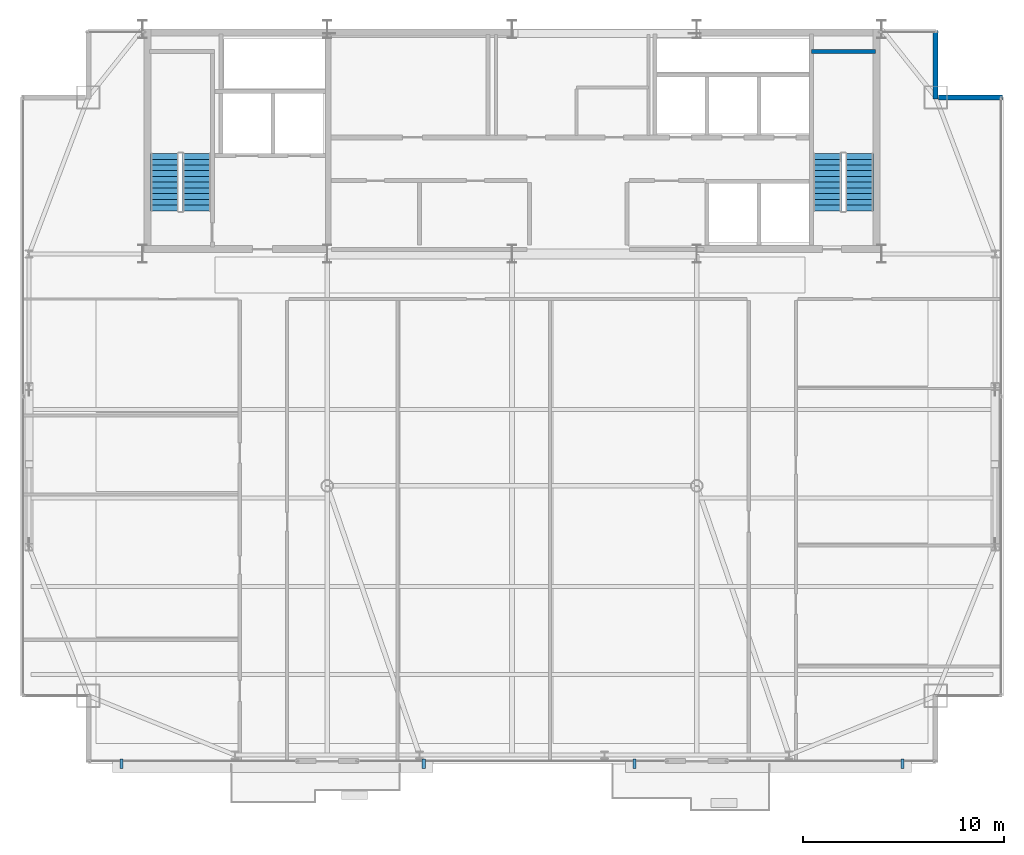
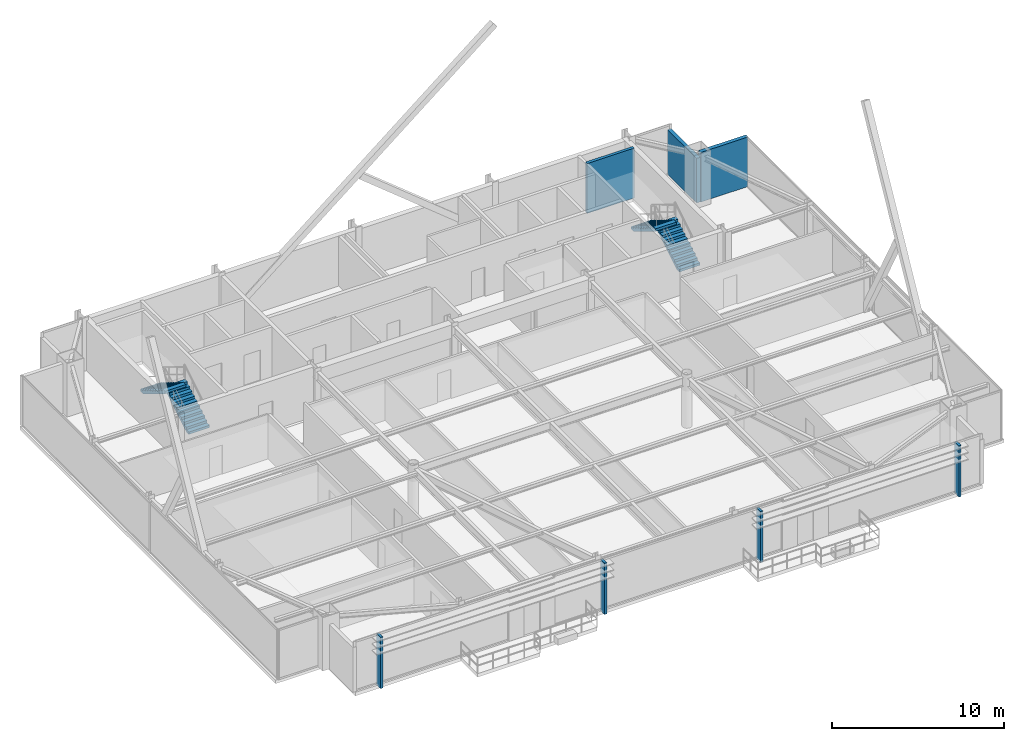
# One storey, part 29 of 31: 4 discrete accessories, 4 stair flights, 3 walls, 2 elements without a shape of their own.
"""IFC4 building model written with IfcOpenShell, lengths in metres."""

from ifc_helpers import new_model, si_unit, direction, frame, frame_2d, origin, origin_2d, place, context, subcontext, project, spatial, polyline, rectangle, outline, extrude, source, transform, mapped, material, layer, layer_set, type_object, type_shapes, element, aggregate, save


model = new_model("IFC4")

# Units and contexts
model_context = context("Model", 3, precision=1e-05, world=origin(), true_north=direction((0.0, 1.0)))
body_context = subcontext(model_context, "Body", "Model", "MODEL_VIEW")
ifc_project = project(units=[si_unit("LENGTHUNIT", "METRE"), si_unit("AREAUNIT", "SQUARE_METRE"), si_unit("VOLUMEUNIT", "CUBIC_METRE"), si_unit("PLANEANGLEUNIT", "RADIAN"), si_unit("MASSUNIT", "GRAM", prefix="KILO")], contexts=[model_context])

# Site, building, storey
site_placement = place(None, origin())
site = spatial("IfcSite", under=ifc_project, at=site_placement, CompositionType="ELEMENT")
building_placement = place(site_placement, origin())
building = spatial("IfcBuilding", under=site, at=building_placement, Name="Varnel Quay Broadcast Tower", CompositionType="ELEMENT")
storey_placement = place(building_placement, frame((0.0, 0.0, 215.0)))
storey = spatial("IfcBuildingStorey", under=building, at=storey_placement, Name="L53", CompositionType="ELEMENT", Elevation=215.0)

# Walls
ifc_material_1 = material(Name="Concrete CSA A23.3 C50/60", Category="concrete")
ifc_layer_1 = layer(ifc_material_1, 0.199951171875, Name="Concrete CSA A23.3 C50/60")
ifc_layer_set_1 = layer_set([ifc_layer_1], Name="Concrete CSA A23.3 C50/60")
wall_type_1 = type_object("IfcWallType", Name="Wall_CoreShaftShear200", PredefinedType="SHEAR", material=ifc_layer_set_1)
wall_1_placement = place(storey_placement, frame((48.919921875, 45.679931640625, 0.0), z_axis=(0.0, 0.0, 1.0), x_axis=(1.0, 0.0, 0.0)))
element("IfcWall", 1, at=wall_1_placement, inside=storey, type_object=wall_type_1, Name="L53 Stair 2 North Structural Wall", PredefinedType="SHEAR", context=body_context, shape_type="SweptSolid", body=[
    extrude(rectangle(XDim=3.18017578125, YDim=0.199951171875, at=frame_2d((1.590087890625, 0.0))), origin(), (0.0, 0.0, 1.0), 3.550048828125),
])
ifc_material_2 = material(Name="Precast Architectural Concrete C40/50", Category="concrete")
ifc_layer_2 = layer(ifc_material_2, 0.25, Name="Precast Architectural Concrete C40/50")
ifc_layer_set_2 = layer_set([ifc_layer_2], Name="Precast Architectural Concrete C40/50")
wall_type_2 = type_object("IfcWallType", Name="Wall_ExtTerrace250", PredefinedType="SOLIDWALL", material=ifc_layer_set_2)
wall_2_placement = place(storey_placement, frame((55.22998046875, 43.39990234375, 0.0), z_axis=(0.0, 0.0, 1.0), x_axis=(1.0, 0.0, 0.0)))
element("IfcWall", 2, at=wall_2_placement, inside=storey, type_object=wall_type_2, Name="L53 Mega-Column Notch Cladding Wall NNE1", PredefinedType="SOLIDWALL", context=body_context, shape_type="SweptSolid", body=[
    extrude(rectangle(XDim=3.18994140625, YDim=0.25, at=frame_2d((1.594970703125, 0.0))), origin(), (0.0, 0.0, 1.0), 3.530029296875),
])
wall_3_placement = place(storey_placement, frame((55.10009765625, 43.320068359375, 0.0), z_axis=(0.0, 0.0, 1.0), x_axis=(0.0, 1.0, 0.0)))
element("IfcWall", 3, at=wall_3_placement, inside=storey, type_object=wall_type_2, Name="L53 Mega-Column Notch Cladding Wall NNE2", PredefinedType="SOLIDWALL", context=body_context, shape_type="SweptSolid", body=[
    extrude(rectangle(XDim=3.39990234375, YDim=0.25, at=frame_2d((1.699951171875, 0.0))), origin(), (0.0, 0.0, 1.0), 3.1708984375),
])

# Stair, stair flights
ifc_material_3 = material(Name="Precast Structural Concrete C40/50", Category="concrete")
stair_type_1 = type_object("IfcStairType", Name="Stair_ST-01", PredefinedType="HALF_TURN_STAIR", material=ifc_material_3)
stair_1_placement = place(storey_placement, origin())
stair_1 = element("IfcStair", 4, at=stair_1_placement, inside=storey, type_object=stair_type_1, Name="L53 West Core Exit Stair 1", PredefinedType="HALF_TURN_STAIR")
stair_flight_type_1 = type_object("IfcStairFlightType", Name="Flight_ST-01", PredefinedType="STRAIGHT", material=ifc_material_3)
stair_flight_1_placement = place(storey_placement, frame((18.300048828125, 37.75, 0.0), z_axis=(0.0, 0.0, 1.0), x_axis=(0.0, 1.0, 0.0)))
stair_flight_1 = element("IfcStairFlight", 5, at=stair_flight_1_placement, type_object=stair_flight_type_1, Name="ST-01 flight 1", NumberOfRisers=11, NumberOfTreads=10, PredefinedType="STRAIGHT", RiserHeight=0.172727273, TreadLength=0.285, context=body_context, shape_type="SweptSolid", body=[
    extrude(outline(polyline([(0.0, 0.0), (0.0, 0.172607421875), (0.284912109375, 0.172607421875), (0.284912109375, 0.345458984375), (0.570068359375, 0.345458984375), (0.570068359375, 0.51806640625), (0.85498046875, 0.51806640625), (0.85498046875, 0.69091796875), (1.139892578125, 0.69091796875), (1.139892578125, 0.863525390625), (1.425048828125, 0.863525390625), (1.425048828125, 1.036376953125), (1.7099609375, 1.036376953125), (1.7099609375, 1.208984375), (1.9951171875, 1.208984375), (1.9951171875, 1.3818359375), (2.280029296875, 1.3818359375), (2.280029296875, 1.554443359375), (2.56494140625, 1.554443359375), (2.56494140625, 1.727294921875), (2.85009765625, 1.727294921875), (2.85009765625, 1.89990234375), (2.85009765625, 1.552001953125), (0.289306640625, 0.0), (0.0, 0.0)])), frame((0.0, 0.699951171875, 0.0), z_axis=(0.0, -1.0, 0.0), x_axis=(1.0, 0.0, 0.0)), (0.0, 0.0, 1.0), 1.39990234375),
])
stair_flight_2_placement = place(storey_placement, frame((16.699951171875, 40.60009765625, 1.89990234375), z_axis=(0.0, 0.0, 1.0), x_axis=(0.0, -1.0, 0.0)))
stair_flight_2 = element("IfcStairFlight", 6, at=stair_flight_2_placement, type_object=stair_flight_type_1, Name="ST-01 flight 2", NumberOfRisers=11, NumberOfTreads=10, PredefinedType="STRAIGHT", RiserHeight=0.172727273, TreadLength=0.285, context=body_context, shape_type="SweptSolid", body=[
    extrude(outline(polyline([(0.0, 0.0), (0.0, 0.172607421875), (0.284912109375, 0.172607421875), (0.284912109375, 0.345458984375), (0.570068359375, 0.345458984375), (0.570068359375, 0.51806640625), (0.85498046875, 0.51806640625), (0.85498046875, 0.69091796875), (1.139892578125, 0.69091796875), (1.139892578125, 0.863525390625), (1.425048828125, 0.863525390625), (1.425048828125, 1.036376953125), (1.7099609375, 1.036376953125), (1.7099609375, 1.208984375), (1.9951171875, 1.208984375), (1.9951171875, 1.3818359375), (2.280029296875, 1.3818359375), (2.280029296875, 1.554443359375), (2.56494140625, 1.554443359375), (2.56494140625, 1.727294921875), (2.85009765625, 1.727294921875), (2.85009765625, 1.89990234375), (2.85009765625, 1.552001953125), (0.289306640625, 0.0), (0.0, 0.0)])), frame((0.0, 0.699951171875, 0.0), z_axis=(0.0, -1.0, 0.0), x_axis=(1.0, 0.0, 0.0)), (0.0, 0.0, 1.0), 1.39990234375),
])
aggregate(stair_1, [stair_flight_1, stair_flight_2])

stair_type_2 = type_object("IfcStairType", Name="Stair_ST-02", PredefinedType="HALF_TURN_STAIR", material=ifc_material_3)
stair_2_placement = place(storey_placement, origin())
stair_2 = element("IfcStair", 7, at=stair_2_placement, inside=storey, type_object=stair_type_2, Name="L53 East Core Exit Stair 2", PredefinedType="HALF_TURN_STAIR")
stair_flight_type_2 = type_object("IfcStairFlightType", Name="Flight_ST-02", PredefinedType="STRAIGHT", material=ifc_material_3)
stair_flight_3_placement = place(storey_placement, frame((51.300048828125, 37.75, 0.0), z_axis=(0.0, 0.0, 1.0), x_axis=(0.0, 1.0, 0.0)))
stair_flight_3 = element("IfcStairFlight", 8, at=stair_flight_3_placement, type_object=stair_flight_type_2, Name="ST-02 flight 1", NumberOfRisers=11, NumberOfTreads=10, PredefinedType="STRAIGHT", RiserHeight=0.172727273, TreadLength=0.285, context=body_context, shape_type="SweptSolid", body=[
    extrude(outline(polyline([(0.0, 0.0), (0.0, 0.172607421875), (0.284912109375, 0.172607421875), (0.284912109375, 0.345458984375), (0.570068359375, 0.345458984375), (0.570068359375, 0.51806640625), (0.85498046875, 0.51806640625), (0.85498046875, 0.69091796875), (1.139892578125, 0.69091796875), (1.139892578125, 0.863525390625), (1.425048828125, 0.863525390625), (1.425048828125, 1.036376953125), (1.7099609375, 1.036376953125), (1.7099609375, 1.208984375), (1.9951171875, 1.208984375), (1.9951171875, 1.3818359375), (2.280029296875, 1.3818359375), (2.280029296875, 1.554443359375), (2.56494140625, 1.554443359375), (2.56494140625, 1.727294921875), (2.85009765625, 1.727294921875), (2.85009765625, 1.89990234375), (2.85009765625, 1.552001953125), (0.289306640625, 0.0), (0.0, 0.0)])), frame((0.0, 0.699951171875, 0.0), z_axis=(0.0, -1.0, 0.0), x_axis=(1.0, 0.0, 0.0)), (0.0, 0.0, 1.0), 1.39990234375),
])
stair_flight_4_placement = place(storey_placement, frame((49.699951171875, 40.60009765625, 1.89990234375), z_axis=(0.0, 0.0, 1.0), x_axis=(0.0, -1.0, 0.0)))
stair_flight_4 = element("IfcStairFlight", 9, at=stair_flight_4_placement, type_object=stair_flight_type_2, Name="ST-02 flight 2", NumberOfRisers=11, NumberOfTreads=10, PredefinedType="STRAIGHT", RiserHeight=0.172727273, TreadLength=0.285, context=body_context, shape_type="SweptSolid", body=[
    extrude(outline(polyline([(0.0, 0.0), (0.0, 0.172607421875), (0.284912109375, 0.172607421875), (0.284912109375, 0.345458984375), (0.570068359375, 0.345458984375), (0.570068359375, 0.51806640625), (0.85498046875, 0.51806640625), (0.85498046875, 0.69091796875), (1.139892578125, 0.69091796875), (1.139892578125, 0.863525390625), (1.425048828125, 0.863525390625), (1.425048828125, 1.036376953125), (1.7099609375, 1.036376953125), (1.7099609375, 1.208984375), (1.9951171875, 1.208984375), (1.9951171875, 1.3818359375), (2.280029296875, 1.3818359375), (2.280029296875, 1.554443359375), (2.56494140625, 1.554443359375), (2.56494140625, 1.727294921875), (2.85009765625, 1.727294921875), (2.85009765625, 1.89990234375), (2.85009765625, 1.552001953125), (0.289306640625, 0.0), (0.0, 0.0)])), frame((0.0, 0.699951171875, 0.0), z_axis=(0.0, -1.0, 0.0), x_axis=(1.0, 0.0, 0.0)), (0.0, 0.0, 1.0), 1.39990234375),
])
aggregate(stair_2, [stair_flight_3, stair_flight_4])

# Discrete accessories
ifc_material_4 = material(Name="Anodised Bronze Aluminium 6063-T6", Category="aluminium")
ifc_layer_3 = layer(ifc_material_4, 0.47998046875, Name="Anodised Bronze Aluminium 6063-T6")
ifc_layer_set_3 = layer_set([ifc_layer_3], Name="Anodised Bronze Aluminium 6063-T6")
discrete_accessory_type = type_object("IfcDiscreteAccessoryType", Name="Acc_FacadeBracket", PredefinedType="BRACKET", material=ifc_layer_set_3)
shared_shape = source(origin(), body_context, "Body", "SweptSolid", [
    extrude(rectangle(XDim=0.159912109375, YDim=0.47998046875, at=origin_2d()), origin(), (0.0, 0.0, 1.0), 3.64990234375),
])
type_shapes(discrete_accessory_type, [shared_shape])
for number, where, z_axis, x_axis, name in (
    (10, (14.550048828125, 10.219970703125, -0.14990234375), (0.0, 0.0, 1.0), (1.0, 0.0, 0.0), "L53 Lobe 1 Louvre Support Bracket 1"),
    (11, (29.60595703125, 10.219970703125, -0.14990234375), (0.0, 0.0, 1.0), (1.0, 0.0, 0.0), "L53 Lobe 1 Louvre Support Bracket 2"),
    (12, (40.10595703125, 10.219970703125, -0.14990234375), (0.0, 0.0, 1.0), (1.0, 0.0, 0.0), "L53 Lobe 2 Louvre Support Bracket 1"),
    (13, (53.449951171875, 10.219970703125, -0.14990234375), (0.0, 0.0, 1.0), (1.0, 0.0, 0.0), "L53 Lobe 2 Louvre Support Bracket 2"),
):
    element("IfcDiscreteAccessory", number, at=place(storey_placement, frame(where, z_axis=z_axis, x_axis=x_axis)), inside=storey, type_object=discrete_accessory_type, Name=name, PredefinedType="BRACKET", context=body_context, shape_type="MappedRepresentation", body=[
        mapped(shared_shape, transform((0.0, 0.0, 0.0), x_axis=(1.0, 0.0, 0.0), y_axis=(0.0, 1.0, 0.0), z_axis=(0.0, 0.0, 1.0), scale=1.0)),
    ])

save(model, "model.ifc")
